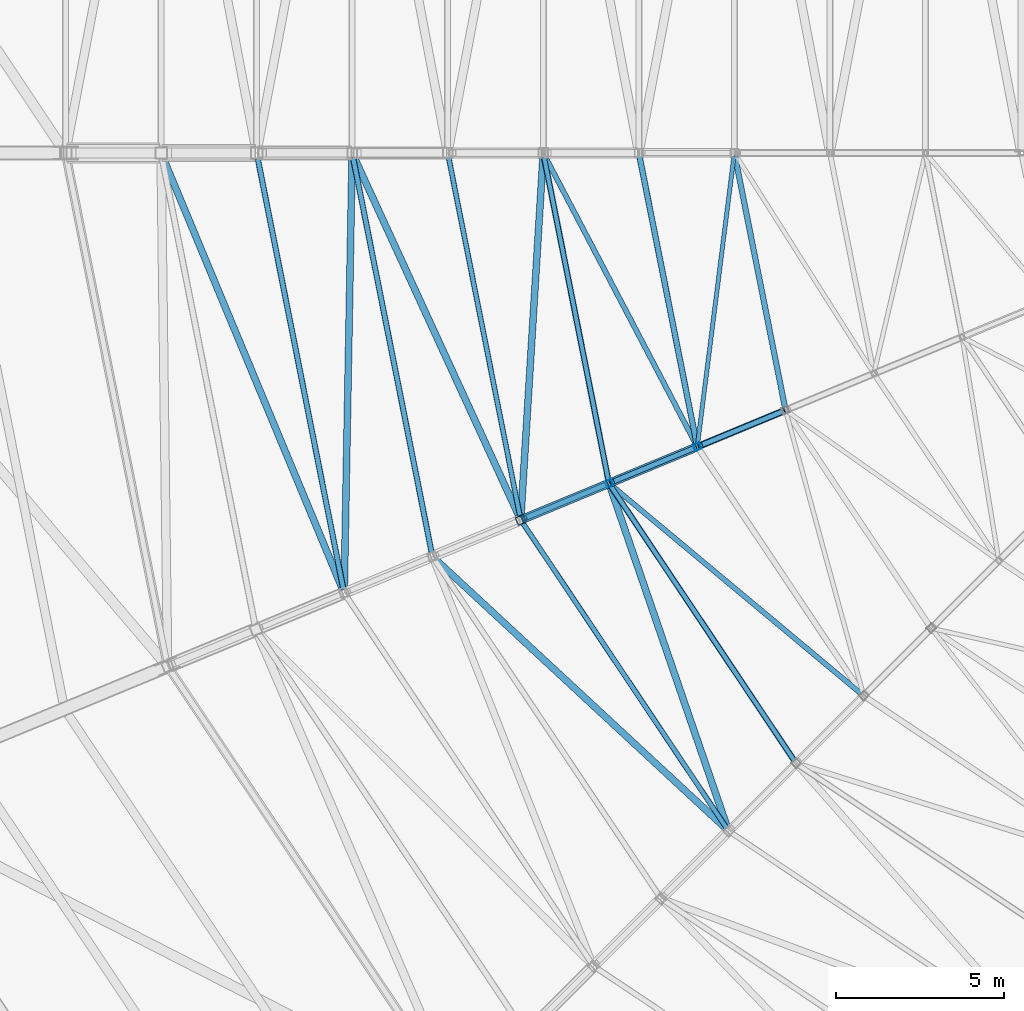
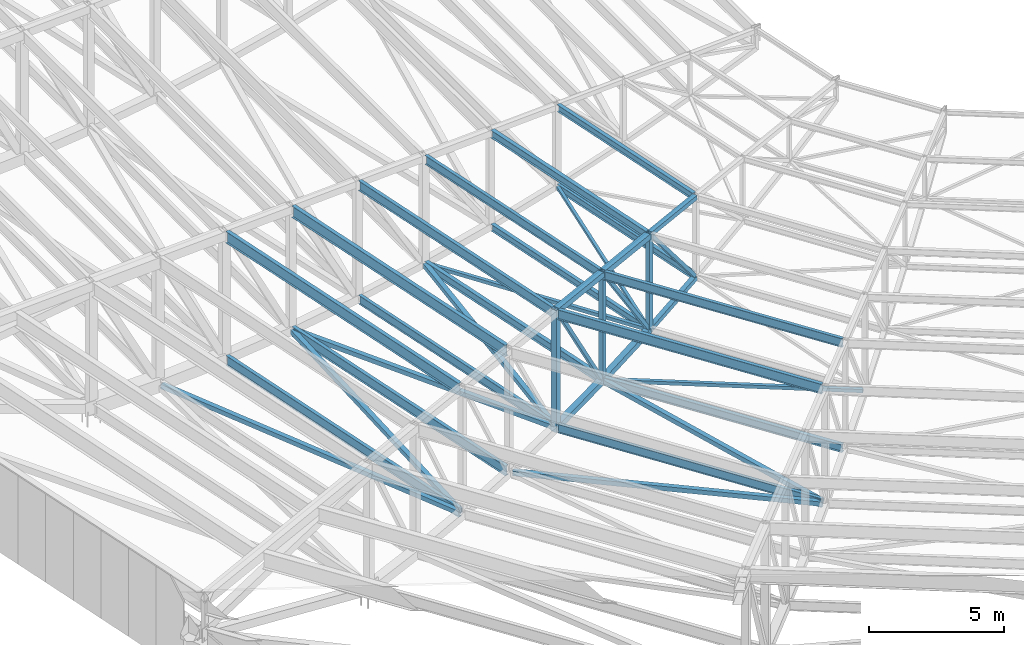
# One storey, part 10 of 278: 28 members, 9 beams.
"""IFC4 building model written with IfcOpenShell, lengths in metres."""

from ifc_helpers import new_model, si_unit, direction, frame, origin, origin_2d, place, context, subcontext, project, spatial, hollow_rectangle, i_section, extrude, material, material_profile, profile_set, type_object, element, save


model = new_model("IFC4")

# Units and contexts
model_context = context("Model", 3, precision=1e-05, world=origin(), true_north=direction((0.0, 1.0)))
body_context = subcontext(model_context, "Body", "Model", "MODEL_VIEW")
ifc_project = project(units=[si_unit("LENGTHUNIT", "METRE"), si_unit("AREAUNIT", "SQUARE_METRE"), si_unit("VOLUMEUNIT", "CUBIC_METRE"), si_unit("PLANEANGLEUNIT", "RADIAN"), si_unit("MASSUNIT", "GRAM", prefix="KILO")], contexts=[model_context])

# Site, building, storey
site_placement = place(None, origin())
site = spatial("IfcSite", under=ifc_project, at=site_placement, CompositionType="ELEMENT")
building_placement = place(site_placement, origin())
building = spatial("IfcBuilding", under=site, at=building_placement, Name="Ogive Plaza Stadium", CompositionType="ELEMENT")
storey_placement = place(building_placement, frame((0.0, 0.0, 29.0)))
storey = spatial("IfcBuildingStorey", under=building, at=storey_placement, Name="Roof", CompositionType="ELEMENT", Elevation=29.0)

# Members
ifc_material_1 = material(Name="Steel ASTM A500 Grade C", Category="steel")
ifc_material_profile_1 = material_profile(ifc_material_1, hollow_rectangle(XDim=0.126953125, YDim=0.126953125, WallThickness=0.005859375, at=origin_2d()), Name="HSS5X5X1/4")
ifc_profile_set_1 = profile_set([ifc_material_profile_1], Name="Steel ASTM A500 Grade C")
member_type_1 = type_object("IfcMemberType", Name="Roof plan brace HSS5X5X1/4", PredefinedType="BRACE", material=ifc_profile_set_1)
member_1_placement = place(storey_placement, frame((-54.06005859375, -52.579833984375, 3.242431640625), z_axis=(-0.124778646777, -0.987974166898, -0.091309007497), x_axis=(0.992118636076, -0.125302082787, 0.0)))
element("IfcMember", 1, at=member_1_placement, inside=storey, type_object=member_type_1, Name="ROOF BRACE B20 4", PredefinedType="BRACE", context=body_context, shape_type="SweptSolid", body=[
    extrude(hollow_rectangle(XDim=0.126953125, YDim=0.126953125, WallThickness=0.005859375, at=origin_2d()), origin(), (0.0, 0.0, 1.0), 8.665771484375),
])
ifc_material_2 = material(Name="Steel ASTM A500 Grade C", Category="steel")
ifc_material_profile_2 = material_profile(ifc_material_2, hollow_rectangle(XDim=0.15234375, YDim=0.15234375, WallThickness=0.005859375, at=origin_2d()), Name="HSS6X6X1/4")
ifc_profile_set_2 = profile_set([ifc_material_profile_2], Name="Steel ASTM A500 Grade C")
member_type_2 = type_object("IfcMemberType", Name="Roof plan brace HSS6X6X1/4", PredefinedType="BRACE", material=ifc_profile_set_2)
member_2_placement = place(storey_placement, frame((-50.25341796875, -68.64208984375, 2.434326171875), z_axis=(-0.765879779934, 0.639024737472, -0.071242877452), x_axis=(-0.640652637194, -0.76783083974, 0.0)))
element("IfcMember", 2, at=member_2_placement, inside=storey, type_object=member_type_2, Name="ROOF BRACE B19 5", PredefinedType="BRACE", context=body_context, shape_type="SweptSolid", body=[
    extrude(hollow_rectangle(XDim=0.15234375, YDim=0.15234375, WallThickness=0.005859375, at=origin_2d()), origin(), (0.0, 0.0, 1.0), 9.715087890625),
])
member_3_placement = place(storey_placement, frame((-55.193359375, -61.193603515625, 2.434326171875), z_axis=(-0.463053945364, 0.883462841824, -0.071235179498), x_axis=(-0.885712953377, -0.464233307962, 0.0)))
element("IfcMember", 3, at=member_3_placement, inside=storey, type_object=member_type_2, Name="ROOF BRACE B20 5", PredefinedType="BRACE", context=body_context, shape_type="SweptSolid", body=[
    extrude(hollow_rectangle(XDim=0.15234375, YDim=0.15234375, WallThickness=0.005859375, at=origin_2d()), origin(), (0.0, 0.0, 1.0), 9.657958984375),
])
ifc_material_3 = material(Name="Steel ASTM A500 Grade C", Category="steel")
ifc_material_profile_3 = material_profile(ifc_material_3, hollow_rectangle(XDim=0.203125, YDim=0.203125, WallThickness=0.0087890625, at=origin_2d()), Name="HSS8X8X3/8")
ifc_profile_set_3 = profile_set([ifc_material_profile_3], Name="Steel ASTM A500 Grade C")
member_type_3 = type_object("IfcMemberType", Name="Roof plan brace HSS8X8X3/8", PredefinedType="BRACE", material=ifc_profile_set_3)
member_4_placement = place(storey_placement, frame((-57.764404296875, -62.427978515625, 1.729248046875), z_axis=(0.324841491464, -0.944427194148, -0.050351567781), x_axis=(0.945626669251, 0.325254058239, 0.0)))
element("IfcMember", 4, at=member_4_placement, inside=storey, type_object=member_type_3, Name="ROOF BRACE B19 6", PredefinedType="BRACE", context=body_context, shape_type="SweptSolid", body=[
    extrude(hollow_rectangle(XDim=0.203125, YDim=0.203125, WallThickness=0.0087890625, at=origin_2d()), origin(), (0.0, 0.0, 1.0), 10.739990234375),
])
member_5_placement = place(storey_placement, frame((-54.29736328125, -72.654541015625, 1.176513671875), z_axis=(-0.732871590616, 0.679343772356, -0.037299740335), x_axis=(-0.679816841557, -0.733381934557, 0.0)))
element("IfcMember", 5, at=member_5_placement, inside=storey, type_object=member_type_3, Name="ROOF BRACE B19 7", PredefinedType="BRACE", context=body_context, shape_type="SweptSolid", body=[
    extrude(hollow_rectangle(XDim=0.203125, YDim=0.203125, WallThickness=0.0087890625, at=origin_2d()), origin(), (0.0, 0.0, 1.0), 11.794677734375),
])
member_6_placement = place(storey_placement, frame((-59.7578125, -52.628662109375, 1.726806640625), z_axis=(-0.061302318892, -0.996847879298, -0.050362001921), x_axis=(0.998114457362, -0.061380208582, 0.0)))
element("IfcMember", 6, at=member_6_placement, inside=storey, type_object=member_type_3, Name="ROOF BRACE B20 6", PredefinedType="BRACE", context=body_context, shape_type="SweptSolid", body=[
    extrude(hollow_rectangle(XDim=0.203125, YDim=0.203125, WallThickness=0.0087890625, at=origin_2d()), origin(), (0.0, 0.0, 1.0), 10.689208984375),
])
member_7_placement = place(storey_placement, frame((-60.465087890625, -63.35302734375, 1.176513671875), z_axis=(-0.417096122157, 0.908096456975, -0.037304821551), x_axis=(-0.908728993339, -0.417386651277, 0.0)))
element("IfcMember", 7, at=member_7_placement, inside=storey, type_object=member_type_3, Name="ROOF BRACE B20 7", PredefinedType="BRACE", context=body_context, shape_type="SweptSolid", body=[
    extrude(hollow_rectangle(XDim=0.203125, YDim=0.203125, WallThickness=0.0087890625, at=origin_2d()), origin(), (0.0, 0.0, 1.0), 11.76708984375),
])
member_8_placement = place(storey_placement, frame((-65.4521484375, -52.624267578125, 0.727783203125), z_axis=(-0.018213899904, -0.999580346119, -0.022525219276), x_axis=(0.999834028948, -0.018218522397, 0.0)))
element("IfcMember", 8, at=member_8_placement, inside=storey, type_object=member_type_3, Name="ROOF BRACE B20 8", PredefinedType="BRACE", context=body_context, shape_type="SweptSolid", body=[
    extrude(hollow_rectangle(XDim=0.203125, YDim=0.203125, WallThickness=0.0087890625, at=origin_2d()), origin(), (0.0, 0.0, 1.0), 12.8544921875),
])
member_9_placement = place(storey_placement, frame((-65.726318359375, -65.536376953125, 0.43359375), z_axis=(-0.384097852451, 0.923217338495, -0.011772240396), x_axis=(-0.92328131748, -0.384124470442, 0.0)))
element("IfcMember", 9, at=member_9_placement, inside=storey, type_object=member_type_3, Name="ROOF BRACE B20 9", PredefinedType="BRACE", context=body_context, shape_type="SweptSolid", body=[
    extrude(hollow_rectangle(XDim=0.203125, YDim=0.203125, WallThickness=0.0087890625, at=origin_2d()), origin(), (0.0, 0.0, 1.0), 13.91552734375),
])
ifc_material_4 = material(Name="Steel ASTM A992 Grade 50", Category="steel")
ifc_material_profile_4 = material_profile(ifc_material_4, i_section(OverallWidth=0.164794921875, OverallDepth=0.310302734375, WebThickness=0.005859375, FlangeThickness=0.009765625, at=origin_2d()), Name="W12X26")
ifc_profile_set_4 = profile_set([ifc_material_profile_4], Name="Steel ASTM A992 Grade 50")
member_type_4 = type_object("IfcMemberType", Name="Roof plan strut W12X26", PredefinedType="STRUT", material=ifc_profile_set_4)
member_10_placement = place(storey_placement, frame((-52.541259765625, -60.08447265625, 3.249755859375), z_axis=(-0.195102482268, 0.9807828615, 0.0), x_axis=(-0.9807828615, -0.195102482268, 0.0)))
element("IfcMember", 10, at=member_10_placement, inside=storey, type_object=member_type_4, Name="ROOF STRUT B20 3", PredefinedType="STRUT", context=body_context, shape_type="SweptSolid", body=[
    extrude(i_section(OverallWidth=0.164794921875, OverallDepth=0.310302734375, WebThickness=0.005859375, FlangeThickness=0.009765625, at=origin_2d()), origin(), (0.0, 0.0, 1.0), 7.643310546875),
])
member_11_placement = place(storey_placement, frame((-55.17431640625, -61.17529296875, 2.43994140625), z_axis=(-0.195104879523, 0.980782384623, 0.0), x_axis=(-0.980782384623, -0.195104879523, 0.0)))
element("IfcMember", 11, at=member_11_placement, inside=storey, type_object=member_type_4, Name="ROOF STRUT B20 4", PredefinedType="STRUT", context=body_context, shape_type="SweptSolid", body=[
    extrude(i_section(OverallWidth=0.164794921875, OverallDepth=0.310302734375, WebThickness=0.005859375, FlangeThickness=0.009765625, at=origin_2d()), origin(), (0.0, 0.0, 1.0), 8.729248046875),
])
ifc_material_5 = material(Name="Steel ASTM A992 Grade 50", Category="steel")
ifc_material_profile_5 = material_profile(ifc_material_5, i_section(OverallWidth=0.17138671875, OverallDepth=0.35498046875, WebThickness=0.00732421875, FlangeThickness=0.011474609375, at=origin_2d()), Name="W14X34")
ifc_profile_set_5 = profile_set([ifc_material_profile_5], Name="Steel ASTM A992 Grade 50")
member_type_5 = type_object("IfcMemberType", Name="Roof plan strut W14X34", PredefinedType="STRUT", material=ifc_profile_set_5)
member_12_placement = place(storey_placement, frame((-52.25830078125, -70.632568359375, 1.733154296875), z_axis=(-0.55557361639, 0.831467351597, 0.0), x_axis=(-0.831467351597, -0.55557361639, 0.0)))
element("IfcMember", 12, at=member_12_placement, inside=storey, type_object=member_type_5, Name="ROOF STRUT B19 5", PredefinedType="STRUT", context=body_context, shape_type="SweptSolid", body=[
    extrude(i_section(OverallWidth=0.17138671875, OverallDepth=0.35498046875, WebThickness=0.00732421875, FlangeThickness=0.011474609375, at=origin_2d()), origin(), (0.0, 0.0, 1.0), 9.86572265625),
])
member_13_placement = place(storey_placement, frame((-57.8076171875, -62.26513671875, 1.733154296875), z_axis=(-0.19508268848, 0.980786798777, 0.0), x_axis=(-0.980786798777, -0.19508268848, 0.0)))
element("IfcMember", 13, at=member_13_placement, inside=storey, type_object=member_type_5, Name="ROOF STRUT B20 5", PredefinedType="STRUT", context=body_context, shape_type="SweptSolid", body=[
    extrude(i_section(OverallWidth=0.17138671875, OverallDepth=0.35498046875, WebThickness=0.00732421875, FlangeThickness=0.011474609375, at=origin_2d()), origin(), (0.0, 0.0, 1.0), 9.81396484375),
])
ifc_material_6 = material(Name="Steel ASTM A992 Grade 50", Category="steel")
ifc_material_profile_6 = material_profile(ifc_material_6, i_section(OverallWidth=0.140380859375, OverallDepth=0.4033203125, WebThickness=0.007080078125, FlangeThickness=0.01123046875, at=origin_2d()), Name="W16X31")
ifc_profile_set_6 = profile_set([ifc_material_profile_6], Name="Steel ASTM A992 Grade 50")
member_type_6 = type_object("IfcMemberType", Name="Roof plan strut W16X31", PredefinedType="STRUT", material=ifc_profile_set_6)
member_14_placement = place(storey_placement, frame((-54.286376953125, -72.62890625, 1.180419921875), z_axis=(-0.555560551847, 0.831476080974, 0.0), x_axis=(-0.831476080974, -0.555560551847, 0.0)))
element("IfcMember", 14, at=member_14_placement, inside=storey, type_object=member_type_6, Name="ROOF STRUT B19 6", PredefinedType="STRUT", context=body_context, shape_type="SweptSolid", body=[
    extrude(i_section(OverallWidth=0.140380859375, OverallDepth=0.4033203125, WebThickness=0.007080078125, FlangeThickness=0.01123046875, at=origin_2d()), origin(), (0.0, 0.0, 1.0), 10.93212890625),
])
member_15_placement = place(storey_placement, frame((-60.445068359375, -63.33349609375, 1.180419921875), z_axis=(-0.195087168164, 0.980785907738, 0.0), x_axis=(-0.980785907738, -0.195087168164, 0.0)))
element("IfcMember", 15, at=member_15_placement, inside=storey, type_object=member_type_6, Name="ROOF STRUT B20 6", PredefinedType="STRUT", context=body_context, shape_type="SweptSolid", body=[
    extrude(i_section(OverallWidth=0.140380859375, OverallDepth=0.4033203125, WebThickness=0.007080078125, FlangeThickness=0.01123046875, at=origin_2d()), origin(), (0.0, 0.0, 1.0), 10.90625),
])
ifc_material_7 = material(Name="Steel ASTM A992 Grade 50", Category="steel")
ifc_material_profile_7 = material_profile(ifc_material_7, i_section(OverallWidth=0.15234375, OverallDepth=0.449462890625, WebThickness=0.007568359375, FlangeThickness=0.0107421875, at=origin_2d()), Name="W18X35")
ifc_profile_set_7 = profile_set([ifc_material_profile_7], Name="Steel ASTM A992 Grade 50")
member_type_7 = type_object("IfcMemberType", Name="Roof plan strut W18X35", PredefinedType="STRUT", material=ifc_profile_set_7)
member_16_placement = place(storey_placement, frame((-63.078369140625, -64.4228515625, 0.730712890625), z_axis=(-0.195096207281, 0.980784109733, 0.0), x_axis=(-0.980784109733, -0.195096207281, 0.0)))
element("IfcMember", 16, at=member_16_placement, inside=storey, type_object=member_type_7, Name="ROOF STRUT B20 7", PredefinedType="STRUT", context=body_context, shape_type="SweptSolid", body=[
    extrude(i_section(OverallWidth=0.15234375, OverallDepth=0.449462890625, WebThickness=0.007568359375, FlangeThickness=0.0107421875, at=origin_2d()), origin(), (0.0, 0.0, 1.0), 12.015869140625),
])
member_17_placement = place(storey_placement, frame((-65.71142578125, -65.513671875, 0.434814453125), z_axis=(-0.195094759096, 0.980784397803, 0.0), x_axis=(-0.980784397803, -0.195094759096, 0.0)))
element("IfcMember", 17, at=member_17_placement, inside=storey, type_object=member_type_7, Name="ROOF STRUT B20 8", PredefinedType="STRUT", context=body_context, shape_type="SweptSolid", body=[
    extrude(i_section(OverallWidth=0.15234375, OverallDepth=0.449462890625, WebThickness=0.007568359375, FlangeThickness=0.0107421875, at=origin_2d()), origin(), (0.0, 0.0, 1.0), 13.10205078125),
])
ifc_material_8 = material(Name="Steel ASTM A992 Grade 50", Category="steel")
ifc_material_profile_8 = material_profile(ifc_material_8, i_section(OverallWidth=0.164794921875, OverallDepth=0.310302734375, WebThickness=0.005859375, FlangeThickness=0.009765625, at=origin_2d()), Name="W12X26")
ifc_profile_set_8 = profile_set([ifc_material_profile_8], Name="Steel ASTM A992 Grade 50")
member_type_8 = type_object("IfcMemberType", Name="Roof purlin W12X26", PredefinedType="PURLIN", material=ifc_profile_set_8)
member_18_placement = place(storey_placement, frame((-52.541259765625, -60.08447265625, 6.84228515625), z_axis=(-0.195102482268, 0.9807828615, 0.0), x_axis=(-0.9807828615, -0.195102482268, 0.0)))
element("IfcMember", 18, at=member_18_placement, inside=storey, type_object=member_type_8, Name="ROOF PURLIN B20 3", PredefinedType="PURLIN", context=body_context, shape_type="SweptSolid", body=[
    extrude(i_section(OverallWidth=0.164794921875, OverallDepth=0.310302734375, WebThickness=0.005859375, FlangeThickness=0.009765625, at=origin_2d()), origin(), (0.0, 0.0, 1.0), 7.643310546875),
])
ifc_material_9 = material(Name="Steel ASTM A992 Grade 50", Category="steel")
ifc_material_profile_9 = material_profile(ifc_material_9, i_section(OverallWidth=0.17138671875, OverallDepth=0.35498046875, WebThickness=0.00732421875, FlangeThickness=0.011474609375, at=origin_2d()), Name="W14X34")
ifc_profile_set_9 = profile_set([ifc_material_profile_9], Name="Steel ASTM A992 Grade 50")
member_type_9 = type_object("IfcMemberType", Name="Roof purlin W14X34", PredefinedType="PURLIN", material=ifc_profile_set_9)
member_19_placement = place(storey_placement, frame((-55.174560546875, -61.174560546875, 6.677490234375), z_axis=(-0.195077827826, 0.980787765569, 0.0), x_axis=(-0.980787765569, -0.195077827826, 0.0)))
element("IfcMember", 19, at=member_19_placement, inside=storey, type_object=member_type_9, Name="ROOF PURLIN B20 4", PredefinedType="PURLIN", context=body_context, shape_type="SweptSolid", body=[
    extrude(i_section(OverallWidth=0.17138671875, OverallDepth=0.35498046875, WebThickness=0.00732421875, FlangeThickness=0.011474609375, at=origin_2d()), origin(), (0.0, 0.0, 1.0), 8.72802734375),
])
ifc_material_10 = material(Name="Steel ASTM A992 Grade 50", Category="steel")
ifc_material_profile_10 = material_profile(ifc_material_10, i_section(OverallWidth=0.140380859375, OverallDepth=0.4033203125, WebThickness=0.007080078125, FlangeThickness=0.01123046875, at=origin_2d()), Name="W16X31")
ifc_profile_set_10 = profile_set([ifc_material_profile_10], Name="Steel ASTM A992 Grade 50")
member_type_10 = type_object("IfcMemberType", Name="Roof purlin W16X31", PredefinedType="PURLIN", material=ifc_profile_set_10)
member_20_placement = place(storey_placement, frame((-52.256591796875, -70.63525390625, 6.5107421875), z_axis=(-0.555573071416, 0.831467715739, 0.0), x_axis=(-0.831467715739, -0.555573071416, 0.0)))
element("IfcMember", 20, at=member_20_placement, inside=storey, type_object=member_type_10, Name="ROOF PURLIN B19 5", PredefinedType="PURLIN", context=body_context, shape_type="SweptSolid", body=[
    extrude(i_section(OverallWidth=0.140380859375, OverallDepth=0.4033203125, WebThickness=0.007080078125, FlangeThickness=0.01123046875, at=origin_2d()), origin(), (0.0, 0.0, 1.0), 9.8720703125),
])
member_21_placement = place(storey_placement, frame((-57.806884765625, -62.268310546875, 6.5107421875), z_axis=(-0.195107258144, 0.980781911446, 0.0), x_axis=(-0.980781911446, -0.195107258144, 0.0)))
element("IfcMember", 21, at=member_21_placement, inside=storey, type_object=member_type_10, Name="ROOF PURLIN B20 5", PredefinedType="PURLIN", context=body_context, shape_type="SweptSolid", body=[
    extrude(i_section(OverallWidth=0.140380859375, OverallDepth=0.4033203125, WebThickness=0.007080078125, FlangeThickness=0.01123046875, at=origin_2d()), origin(), (0.0, 0.0, 1.0), 9.8203125),
])
ifc_material_11 = material(Name="Steel ASTM A992 Grade 50", Category="steel")
ifc_material_profile_11 = material_profile(ifc_material_11, i_section(OverallWidth=0.15234375, OverallDepth=0.449462890625, WebThickness=0.007568359375, FlangeThickness=0.0107421875, at=origin_2d()), Name="W18X35")
ifc_profile_set_11 = profile_set([ifc_material_profile_11], Name="Steel ASTM A992 Grade 50")
member_type_11 = type_object("IfcMemberType", Name="Roof purlin W18X35", PredefinedType="PURLIN", material=ifc_profile_set_11)
member_22_placement = place(storey_placement, frame((-54.286865234375, -72.6279296875, 6.34521484375), z_axis=(-0.555581326448, 0.831462199803, 0.0), x_axis=(-0.831462199803, -0.555581326448, 0.0)))
element("IfcMember", 22, at=member_22_placement, inside=storey, type_object=member_type_11, Name="ROOF PURLIN B19 6", PredefinedType="PURLIN", context=body_context, shape_type="SweptSolid", body=[
    extrude(i_section(OverallWidth=0.15234375, OverallDepth=0.449462890625, WebThickness=0.007568359375, FlangeThickness=0.0107421875, at=origin_2d()), origin(), (0.0, 0.0, 1.0), 10.929931640625),
])
member_23_placement = place(storey_placement, frame((-60.4453125, -63.332275390625, 6.34521484375), z_axis=(-0.195086933188, 0.980785954477, 0.0), x_axis=(-0.980785954477, -0.195086933188, 0.0)))
element("IfcMember", 23, at=member_23_placement, inside=storey, type_object=member_type_11, Name="ROOF PURLIN B20 6", PredefinedType="PURLIN", context=body_context, shape_type="SweptSolid", body=[
    extrude(i_section(OverallWidth=0.15234375, OverallDepth=0.449462890625, WebThickness=0.007568359375, FlangeThickness=0.0107421875, at=origin_2d()), origin(), (0.0, 0.0, 1.0), 10.90380859375),
])
ifc_material_12 = material(Name="Steel ASTM A992 Grade 50", Category="steel")
ifc_material_profile_12 = material_profile(ifc_material_12, i_section(OverallWidth=0.1650390625, OverallDepth=0.524658203125, WebThickness=0.0087890625, FlangeThickness=0.011474609375, at=origin_2d()), Name="W21X44")
ifc_profile_set_12 = profile_set([ifc_material_profile_12], Name="Steel ASTM A992 Grade 50")
member_type_12 = type_object("IfcMemberType", Name="Roof purlin W21X44", PredefinedType="PURLIN", material=ifc_profile_set_12)
member_24_placement = place(storey_placement, frame((-63.07861328125, -64.421630859375, 6.1650390625), z_axis=(-0.195095995879, 0.980784151785, 0.0), x_axis=(-0.980784151785, -0.195095995879, 0.0)))
element("IfcMember", 24, at=member_24_placement, inside=storey, type_object=member_type_12, Name="ROOF PURLIN B20 7", PredefinedType="PURLIN", context=body_context, shape_type="SweptSolid", body=[
    extrude(i_section(OverallWidth=0.1650390625, OverallDepth=0.524658203125, WebThickness=0.0087890625, FlangeThickness=0.011474609375, at=origin_2d()), origin(), (0.0, 0.0, 1.0), 12.013427734375),
])
member_25_placement = place(storey_placement, frame((-65.711669921875, -65.512451171875, 6.022705078125), z_axis=(-0.195094564949, 0.980784436422, 0.0), x_axis=(-0.980784436422, -0.195094564949, 0.0)))
element("IfcMember", 25, at=member_25_placement, inside=storey, type_object=member_type_12, Name="ROOF PURLIN B20 8", PredefinedType="PURLIN", context=body_context, shape_type="SweptSolid", body=[
    extrude(i_section(OverallWidth=0.1650390625, OverallDepth=0.524658203125, WebThickness=0.0087890625, FlangeThickness=0.011474609375, at=origin_2d()), origin(), (0.0, 0.0, 1.0), 13.099609375),
])

# Beams
ifc_material_13 = material(Name="Steel ASTM A500 Grade C", Category="steel")
ifc_material_profile_13 = material_profile(ifc_material_13, hollow_rectangle(XDim=0.25390625, YDim=0.25390625, WallThickness=0.01171875, at=origin_2d()), Name="HSS10X10X1/2")
ifc_profile_set_13 = profile_set([ifc_material_profile_13], Name="Steel ASTM A500 Grade C")
beam_type_1 = type_object("IfcBeamType", Name="Roof truss bottom chord HSS10X10X1/2", PredefinedType="BEAM", material=ifc_profile_set_13)
beam_1_placement = place(storey_placement, frame((-55.195556640625, -61.279541015625, 2.433349609375), z_axis=(-0.89673257633, -0.371439859665, -0.240630665544), x_axis=(0.382684368678, -0.923879144677, 0.0)))
element("IfcBeam", 26, at=beam_1_placement, inside=storey, type_object=beam_type_1, Name="ROOF TRUSS T20 BOTTOM CHORD 5", PredefinedType="BEAM", context=body_context, shape_type="SweptSolid", body=[
    extrude(hollow_rectangle(XDim=0.25390625, YDim=0.25390625, WallThickness=0.01171875, at=origin_2d()), origin(), (0.0, 0.0, 1.0), 2.849853515625),
])
beam_2_placement = place(storey_placement, frame((-57.833251953125, -62.3720703125, 1.726318359375), z_axis=(-0.905437709043, -0.375020513968, -0.198852128843), x_axis=(0.382662472935, -0.923888213913, 0.0)))
element("IfcBeam", 27, at=beam_2_placement, inside=storey, type_object=beam_type_1, Name="ROOF TRUSS T20 BOTTOM CHORD 6", PredefinedType="BEAM", context=body_context, shape_type="SweptSolid", body=[
    extrude(hollow_rectangle(XDim=0.25390625, YDim=0.25390625, WallThickness=0.01171875, at=origin_2d()), origin(), (0.0, 0.0, 1.0), 2.80908203125),
])
ifc_material_14 = material(Name="Steel ASTM A500 Grade C", Category="steel")
ifc_material_profile_14 = material_profile(ifc_material_14, hollow_rectangle(XDim=0.203125, YDim=0.203125, WallThickness=0.01171875, at=origin_2d()), Name="HSS8X8X1/2")
ifc_profile_set_14 = profile_set([ifc_material_profile_14], Name="Steel ASTM A500 Grade C")
beam_type_2 = type_object("IfcBeamType", Name="Roof truss bottom chord HSS8X8X1/2", PredefinedType="BEAM", material=ifc_profile_set_14)
beam_3_placement = place(storey_placement, frame((-52.564697265625, -60.189697265625, 3.2412109375), z_axis=(-0.886574426433, -0.36727087962, -0.281243466376), x_axis=(0.382718768474, -0.923864895024, 0.0)))
element("IfcBeam", 28, at=beam_3_placement, inside=storey, type_object=beam_type_2, Name="ROOF TRUSS T20 BOTTOM CHORD 4", PredefinedType="BEAM", context=body_context, shape_type="SweptSolid", body=[
    extrude(hollow_rectangle(XDim=0.203125, YDim=0.203125, WallThickness=0.01171875, at=origin_2d()), origin(), (0.0, 0.0, 1.0), 2.877685546875),
])

# Members
ifc_material_15 = material(Name="Steel ASTM A500 Grade C", Category="steel")
ifc_material_profile_15 = material_profile(ifc_material_15, hollow_rectangle(XDim=0.15234375, YDim=0.15234375, WallThickness=0.005859375, at=origin_2d()), Name="HSS6X6X1/4")
ifc_profile_set_15 = profile_set([ifc_material_profile_15], Name="Steel ASTM A500 Grade C")
member_type_13 = type_object("IfcMemberType", Name="Roof truss diagonal HSS6X6X1/4", PredefinedType="BRACE", material=ifc_profile_set_15)
member_26_placement = place(storey_placement, frame((-52.61767578125, -60.211669921875, 3.3515625), z_axis=(-0.578013230123, -0.239434593828, 0.780110108306), x_axis=(0.382702088427, -0.923871804697, 0.0)))
element("IfcMember", 29, at=member_26_placement, inside=storey, type_object=member_type_13, Name="ROOF TRUSS T20 DIAGONAL 4", PredefinedType="BRACE", context=body_context, shape_type="SweptSolid", body=[
    extrude(hollow_rectangle(XDim=0.15234375, YDim=0.15234375, WallThickness=0.005859375, at=origin_2d()), origin(), (0.0, 0.0, 1.0), 4.23046875),
])
member_27_placement = place(storey_placement, frame((-55.250732421875, -61.30224609375, 2.56689453125), z_axis=(-0.519572207016, -0.215226146856, 0.826875097827), x_axis=(0.382702088427, -0.923871804697, 0.0)))
element("IfcMember", 30, at=member_27_placement, inside=storey, type_object=member_type_13, Name="ROOF TRUSS T20 DIAGONAL 5", PredefinedType="BRACE", context=body_context, shape_type="SweptSolid", body=[
    extrude(hollow_rectangle(XDim=0.15234375, YDim=0.15234375, WallThickness=0.005859375, at=origin_2d()), origin(), (0.0, 0.0, 1.0), 4.706298828125),
])
ifc_material_16 = material(Name="Steel ASTM A500 Grade C", Category="steel")
ifc_material_profile_16 = material_profile(ifc_material_16, hollow_rectangle(XDim=0.15234375, YDim=0.15234375, WallThickness=0.0087890625, at=origin_2d()), Name="HSS6X6X3/8")
ifc_profile_set_16 = profile_set([ifc_material_profile_16], Name="Steel ASTM A500 Grade C")
member_type_14 = type_object("IfcMemberType", Name="Roof truss diagonal HSS6X6X3/8", PredefinedType="BRACE", material=ifc_profile_set_16)
member_28_placement = place(storey_placement, frame((-57.8837890625, -62.39306640625, 1.8603515625), z_axis=(-0.468491524227, -0.194055612203, 0.861892169067), x_axis=(0.382683548526, -0.923879484396, 0.0)))
element("IfcMember", 31, at=member_28_placement, inside=storey, type_object=member_type_14, Name="ROOF TRUSS T20 DIAGONAL 6", PredefinedType="BRACE", context=body_context, shape_type="SweptSolid", body=[
    extrude(hollow_rectangle(XDim=0.15234375, YDim=0.15234375, WallThickness=0.0087890625, at=origin_2d()), origin(), (0.0, 0.0, 1.0), 5.16943359375),
])

# Beams
ifc_material_17 = material(Name="Steel ASTM A500 Grade C", Category="steel")
ifc_material_profile_17 = material_profile(ifc_material_17, hollow_rectangle(XDim=0.25390625, YDim=0.25390625, WallThickness=0.01171875, at=origin_2d()), Name="HSS10X10X1/2")
ifc_profile_set_17 = profile_set([ifc_material_profile_17], Name="Steel ASTM A500 Grade C")
beam_type_3 = type_object("IfcBeamType", Name="Roof truss post HSS10X10X1/2", PredefinedType="BEAM", material=ifc_profile_set_17)
beam_4_placement = place(storey_placement, frame((-60.4228515625, -63.44482421875, 1.028076171875), z_axis=(0.0, 0.0, 1.0), x_axis=(0.382683432365, -0.923879532511, 0.0)))
element("IfcBeam", 32, at=beam_4_placement, inside=storey, type_object=beam_type_3, Name="ROOF TRUSS T20 POST 7", PredefinedType="BEAM", context=body_context, shape_type="SweptSolid", body=[
    extrude(hollow_rectangle(XDim=0.25390625, YDim=0.25390625, WallThickness=0.01171875, at=origin_2d()), origin(), (0.0, 0.0, 1.0), 5.5419921875),
])
ifc_material_18 = material(Name="Steel ASTM A500 Grade C", Category="steel")
ifc_material_profile_18 = material_profile(ifc_material_18, hollow_rectangle(XDim=0.203125, YDim=0.203125, WallThickness=0.0087890625, at=origin_2d()), Name="HSS8X8X3/8")
ifc_profile_set_18 = profile_set([ifc_material_profile_18], Name="Steel ASTM A500 Grade C")
beam_type_4 = type_object("IfcBeamType", Name="Roof truss post HSS8X8X3/8", PredefinedType="BEAM", material=ifc_profile_set_18)
beam_5_placement = place(storey_placement, frame((-55.15673828125, -61.263427734375, 2.31298828125), z_axis=(0.0, 0.0, 1.0), x_axis=(0.382683432365, -0.923879532511, 0.0)))
element("IfcBeam", 33, at=beam_5_placement, inside=storey, type_object=beam_type_4, Name="ROOF TRUSS T20 POST 5", PredefinedType="BEAM", context=body_context, shape_type="SweptSolid", body=[
    extrude(hollow_rectangle(XDim=0.203125, YDim=0.203125, WallThickness=0.0087890625, at=origin_2d()), origin(), (0.0, 0.0, 1.0), 4.5419921875),
])
beam_6_placement = place(storey_placement, frame((-57.789794921875, -62.35400390625, 1.606201171875), z_axis=(0.0, 0.0, 1.0), x_axis=(0.382683432365, -0.923879532511, 0.0)))
element("IfcBeam", 34, at=beam_6_placement, inside=storey, type_object=beam_type_4, Name="ROOF TRUSS T20 POST 6", PredefinedType="BEAM", context=body_context, shape_type="SweptSolid", body=[
    extrude(hollow_rectangle(XDim=0.203125, YDim=0.203125, WallThickness=0.0087890625, at=origin_2d()), origin(), (0.0, 0.0, 1.0), 5.106201171875),
])
ifc_material_19 = material(Name="Steel ASTM A500 Grade C", Category="steel")
ifc_material_profile_19 = material_profile(ifc_material_19, hollow_rectangle(XDim=0.25390625, YDim=0.25390625, WallThickness=0.0087890625, at=origin_2d()), Name="HSS10X10X3/8")
ifc_profile_set_19 = profile_set([ifc_material_profile_19], Name="Steel ASTM A500 Grade C")
beam_type_5 = type_object("IfcBeamType", Name="Roof truss top chord HSS10X10X3/8", PredefinedType="BEAM", material=ifc_profile_set_19)
beam_7_placement = place(storey_placement, frame((-55.203125, -61.282470703125, 6.725341796875), z_axis=(-0.922705839284, -0.382258780814, -0.049921524843), x_axis=(0.382735997737, -0.923857757469, 0.0)))
element("IfcBeam", 35, at=beam_7_placement, inside=storey, type_object=beam_type_5, Name="ROOF TRUSS T20 TOP CHORD 5", PredefinedType="BEAM", context=body_context, shape_type="SweptSolid", body=[
    extrude(hollow_rectangle(XDim=0.25390625, YDim=0.25390625, WallThickness=0.0087890625, at=origin_2d()), origin(), (0.0, 0.0, 1.0), 2.75341796875),
])
beam_8_placement = place(storey_placement, frame((-57.836181640625, -62.373291015625, 6.582763671875), z_axis=(-0.922737112453, -0.382183063105, -0.049923216828), x_axis=(0.382660217904, -0.923889147914, 0.0)))
element("IfcBeam", 36, at=beam_8_placement, inside=storey, type_object=beam_type_5, Name="ROOF TRUSS T20 TOP CHORD 6", PredefinedType="BEAM", context=body_context, shape_type="SweptSolid", body=[
    extrude(hollow_rectangle(XDim=0.25390625, YDim=0.25390625, WallThickness=0.0087890625, at=origin_2d()), origin(), (0.0, 0.0, 1.0), 2.753173828125),
])
ifc_material_20 = material(Name="Steel ASTM A500 Grade C", Category="steel")
ifc_material_profile_20 = material_profile(ifc_material_20, hollow_rectangle(XDim=0.203125, YDim=0.203125, WallThickness=0.0087890625, at=origin_2d()), Name="HSS8X8X3/8")
ifc_profile_set_20 = profile_set([ifc_material_profile_20], Name="Steel ASTM A500 Grade C")
beam_type_6 = type_object("IfcBeamType", Name="Roof truss top chord HSS8X8X3/8", PredefinedType="BEAM", material=ifc_profile_set_20)
beam_9_placement = place(storey_placement, frame((-52.570068359375, -60.19189453125, 6.893310546875), z_axis=(-0.922705839284, -0.382258780814, -0.049921524843), x_axis=(0.382735997737, -0.923857757469, 0.0)))
element("IfcBeam", 37, at=beam_9_placement, inside=storey, type_object=beam_type_6, Name="ROOF TRUSS T20 TOP CHORD 4", PredefinedType="BEAM", context=body_context, shape_type="SweptSolid", body=[
    extrude(hollow_rectangle(XDim=0.203125, YDim=0.203125, WallThickness=0.0087890625, at=origin_2d()), origin(), (0.0, 0.0, 1.0), 2.75341796875),
])

save(model, "model.ifc")
